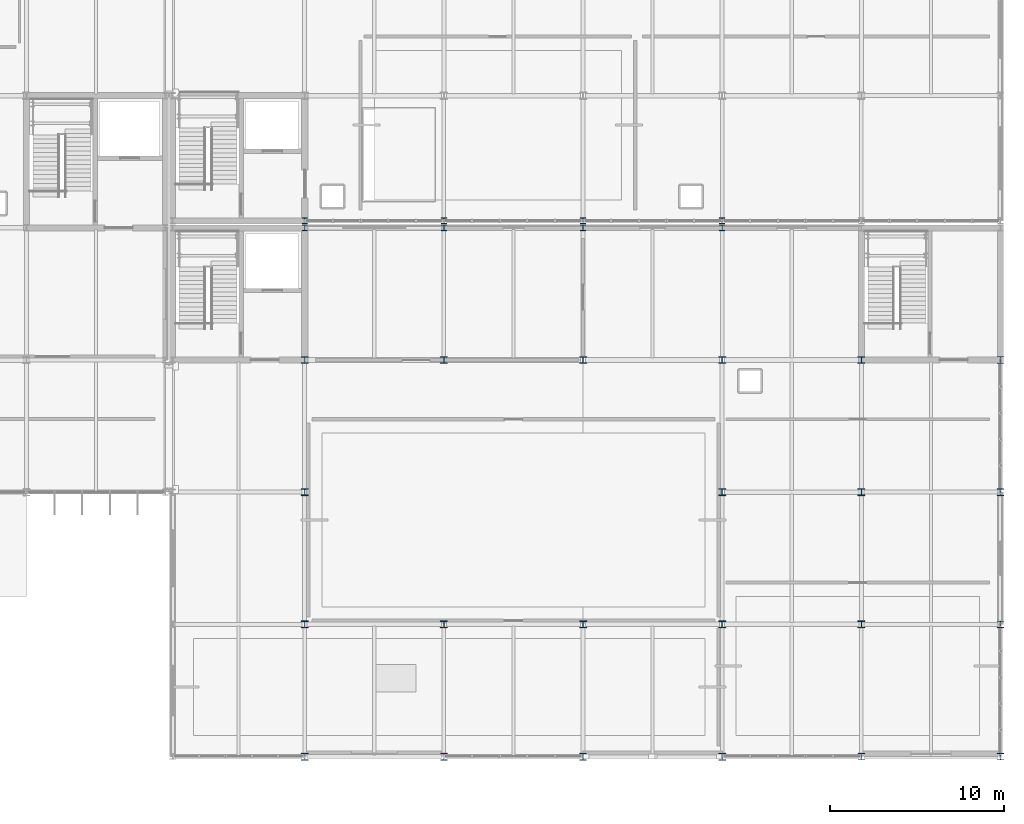
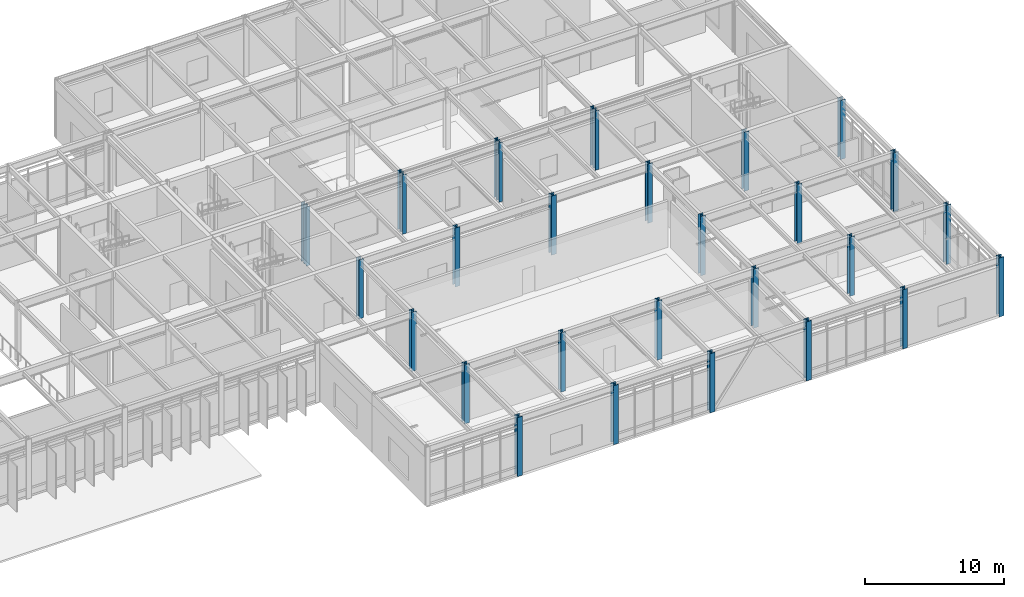
# One storey, part 17 of 94: 30 columns.
"""IFC4 building model written with IfcOpenShell, lengths in metres."""

from ifc_helpers import new_model, si_unit, direction, frame, origin, origin_2d, place, context, subcontext, project, spatial, i_section, extrude, material, material_profile, profile_set, type_object, element, save


model = new_model("IFC4")

# Units and contexts
model_context = context("Model", 3, precision=1e-05, world=origin(), true_north=direction((0.0, 1.0)))
body_context = subcontext(model_context, "Body", "Model", "MODEL_VIEW")
ifc_project = project(units=[si_unit("LENGTHUNIT", "METRE"), si_unit("AREAUNIT", "SQUARE_METRE"), si_unit("VOLUMEUNIT", "CUBIC_METRE"), si_unit("PLANEANGLEUNIT", "RADIAN"), si_unit("MASSUNIT", "GRAM", prefix="KILO")], contexts=[model_context])

# Site, building, storey
site_placement = place(None, origin())
site = spatial("IfcSite", under=ifc_project, at=site_placement, CompositionType="ELEMENT")
building_placement = place(site_placement, origin())
building = spatial("IfcBuilding", under=site, at=building_placement, Name="Zulena Civic Courthouse", CompositionType="ELEMENT")
storey_placement = place(building_placement, frame((0.0, 0.0, 5.39990234375)))
storey = spatial("IfcBuildingStorey", under=building, at=storey_placement, Name="L01", CompositionType="ELEMENT", Elevation=5.39990234375)

# Columns
ifc_material = material(Name="Steel ASTM A992 Grade 50", Category="steel")
ifc_material_profile_1 = material_profile(ifc_material, i_section(OverallWidth=0.31298828125, OverallDepth=0.3330078125, WebThickness=0.01806640625, FlangeThickness=0.0283203125, FilletRadius=0.01513671875, at=origin_2d()), Name="W12X120")
ifc_profile_set_1 = profile_set([ifc_material_profile_1], Name="Steel ASTM A992 Grade 50")
column_type_1 = type_object("IfcColumnType", Name="Col_W12X120", PredefinedType="COLUMN", material=ifc_profile_set_1)
for number, where, z_axis, x_axis, name in (
    (1, (132.0, 30.39990234375, 0.0), (0.0, 0.0, 1.0), (1.0, 0.0, 0.0), "col:V1:L01:132.0:30.4"),
    (2, (140.0, 30.39990234375, 0.0), (0.0, 0.0, 1.0), (1.0, 0.0, 0.0), "col:V1:L01:140.0:30.4"),
    (3, (148.0, 30.39990234375, 0.0), (0.0, 0.0, 1.0), (1.0, 0.0, 0.0), "col:V1:L01:148.0:30.4"),
    (4, (156.0, 30.39990234375, 0.0), (0.0, 0.0, 1.0), (1.0, 0.0, 0.0), "col:V1:L01:156.0:30.4"),
    (5, (132.0, 30.800048828125, 0.0), (0.0, 0.0, 1.0), (1.0, 0.0, 0.0), "col:V3:L01:132.0:30.8"),
    (6, (140.0, 30.800048828125, 0.0), (0.0, 0.0, 1.0), (1.0, 0.0, 0.0), "col:V3:L01:140.0:30.8"),
    (7, (148.0, 30.800048828125, 0.0), (0.0, 0.0, 1.0), (1.0, 0.0, 0.0), "col:V3:L01:148.0:30.8"),
    (8, (156.0, 30.800048828125, 0.0), (0.0, 0.0, 1.0), (1.0, 0.0, 0.0), "col:V3:L01:156.0:30.8"),
):
    element("IfcColumn", number, at=place(storey_placement, frame(where, z_axis=z_axis, x_axis=x_axis)), inside=storey, type_object=column_type_1, Name=name, PredefinedType="COLUMN", context=body_context, shape_type="SweptSolid", body=[
        extrude(i_section(OverallWidth=0.31298828125, OverallDepth=0.3330078125, WebThickness=0.01806640625, FlangeThickness=0.0283203125, FilletRadius=0.01513671875, at=origin_2d()), origin(), (0.0, 0.0, 1.0), 5.18505859375),
    ])
ifc_material_profile_2 = material_profile(ifc_material, i_section(OverallWidth=0.40087890625, OverallDepth=0.39892578125, WebThickness=0.02490234375, FlangeThickness=0.03955078125, FilletRadius=0.01513671875, at=origin_2d()), Name="W14X211")
ifc_profile_set_2 = profile_set([ifc_material_profile_2], Name="Steel ASTM A992 Grade 50")
column_type_2 = type_object("IfcColumnType", Name="Col_W14X211", PredefinedType="COLUMN", material=ifc_profile_set_2)
for number, where, z_axis, x_axis, name in (
    (9, (132.0, 7.60009765625, 0.0), (0.0, 0.0, 1.0), (1.0, 0.0, 0.0), "col:V1:L01:132.0:7.6"),
    (10, (132.0, 15.199951171875, 0.0), (0.0, 0.0, 1.0), (1.0, 0.0, 0.0), "col:V1:L01:132.0:15.2"),
    (11, (132.0, 22.800048828125, 0.0), (0.0, 0.0, 1.0), (1.0, 0.0, 0.0), "col:V1:L01:132.0:22.8"),
    (12, (140.0, 7.60009765625, 0.0), (0.0, 0.0, 1.0), (1.0, 0.0, 0.0), "col:V1:L01:140.0:7.6"),
    (13, (140.0, 22.800048828125, 0.0), (0.0, 0.0, 1.0), (1.0, 0.0, 0.0), "col:V1:L01:140.0:22.8"),
    (14, (148.0, 7.60009765625, 0.0), (0.0, 0.0, 1.0), (1.0, 0.0, 0.0), "col:V1:L01:148.0:7.6"),
    (15, (148.0, 22.800048828125, 0.0), (0.0, 0.0, 1.0), (1.0, 0.0, 0.0), "col:V1:L01:148.0:22.8"),
    (16, (156.0, 7.60009765625, 0.0), (0.0, 0.0, 1.0), (1.0, 0.0, 0.0), "col:V1:L01:156.0:7.6"),
    (17, (156.0, 15.199951171875, 0.0), (0.0, 0.0, 1.0), (1.0, 0.0, 0.0), "col:V1:L01:156.0:15.2"),
    (18, (156.0, 22.800048828125, 0.0), (0.0, 0.0, 1.0), (1.0, 0.0, 0.0), "col:V1:L01:156.0:22.8"),
    (19, (164.0, 7.60009765625, 0.0), (0.0, 0.0, 1.0), (1.0, 0.0, 0.0), "col:V1:L01:164.0:7.6"),
    (20, (164.0, 15.199951171875, 0.0), (0.0, 0.0, 1.0), (1.0, 0.0, 0.0), "col:V1:L01:164.0:15.2"),
    (21, (164.0, 22.800048828125, 0.0), (0.0, 0.0, 1.0), (1.0, 0.0, 0.0), "col:V1:L01:164.0:22.8"),
):
    element("IfcColumn", number, at=place(storey_placement, frame(where, z_axis=z_axis, x_axis=x_axis)), inside=storey, type_object=column_type_2, Name=name, PredefinedType="COLUMN", context=body_context, shape_type="SweptSolid", body=[
        extrude(i_section(OverallWidth=0.40087890625, OverallDepth=0.39892578125, WebThickness=0.02490234375, FlangeThickness=0.03955078125, FilletRadius=0.01513671875, at=origin_2d()), origin(), (0.0, 0.0, 1.0), 5.18505859375),
    ])
ifc_material_profile_3 = material_profile(ifc_material, i_section(OverallWidth=0.406005859375, OverallDepth=0.416015625, WebThickness=0.02978515625, FlangeThickness=0.048095703125, FilletRadius=0.01513671875, at=origin_2d()), Name="W14X257")
ifc_profile_set_3 = profile_set([ifc_material_profile_3], Name="Steel ASTM A992 Grade 50")
column_type_3 = type_object("IfcColumnType", Name="Col_W14X257", PredefinedType="COLUMN", material=ifc_profile_set_3)
for number, where, z_axis, x_axis, name in (
    (22, (164.0, 0.0, 0.0), (0.0, 0.0, 1.0), (1.0, 0.0, 0.0), "col:V1:L01:164.0:0.0"),
    (23, (172.0, 0.0, 0.0), (0.0, 0.0, 1.0), (1.0, 0.0, 0.0), "col:V1:L01:172.0:0.0"),
    (24, (172.0, 7.60009765625, 0.0), (0.0, 0.0, 1.0), (1.0, 0.0, 0.0), "col:V1:L01:172.0:7.6"),
    (25, (172.0, 15.199951171875, 0.0), (0.0, 0.0, 1.0), (1.0, 0.0, 0.0), "col:V1:L01:172.0:15.2"),
    (26, (172.0, 22.800048828125, 0.0), (0.0, 0.0, 1.0), (1.0, 0.0, 0.0), "col:V1:L01:172.0:22.8"),
):
    element("IfcColumn", number, at=place(storey_placement, frame(where, z_axis=z_axis, x_axis=x_axis)), inside=storey, type_object=column_type_3, Name=name, PredefinedType="COLUMN", context=body_context, shape_type="SweptSolid", body=[
        extrude(i_section(OverallWidth=0.406005859375, OverallDepth=0.416015625, WebThickness=0.02978515625, FlangeThickness=0.048095703125, FilletRadius=0.01513671875, at=origin_2d()), origin(), (0.0, 0.0, 1.0), 5.18505859375),
    ])
ifc_material_profile_4 = material_profile(ifc_material, i_section(OverallWidth=0.412109375, OverallDepth=0.43505859375, WebThickness=0.035888671875, FlangeThickness=0.057373046875, FilletRadius=0.01513671875, at=origin_2d()), Name="W14X311")
ifc_profile_set_4 = profile_set([ifc_material_profile_4], Name="Steel ASTM A992 Grade 50")
column_type_4 = type_object("IfcColumnType", Name="Col_W14X311", PredefinedType="COLUMN", material=ifc_profile_set_4)
for number, where, z_axis, x_axis, name in (
    (27, (132.0, 0.0, 0.0), (0.0, 0.0, 1.0), (1.0, 0.0, 0.0), "col:V1:L01:132.0:0.0"),
    (28, (140.0, 0.0, 0.0), (0.0, 0.0, 1.0), (1.0, 0.0, 0.0), "col:V1:L01:140.0:0.0"),
    (29, (148.0, 0.0, 0.0), (0.0, 0.0, 1.0), (1.0, 0.0, 0.0), "col:V1:L01:148.0:0.0"),
    (30, (156.0, 0.0, 0.0), (0.0, 0.0, 1.0), (1.0, 0.0, 0.0), "col:V1:L01:156.0:0.0"),
):
    element("IfcColumn", number, at=place(storey_placement, frame(where, z_axis=z_axis, x_axis=x_axis)), inside=storey, type_object=column_type_4, Name=name, PredefinedType="COLUMN", context=body_context, shape_type="SweptSolid", body=[
        extrude(i_section(OverallWidth=0.412109375, OverallDepth=0.43505859375, WebThickness=0.035888671875, FlangeThickness=0.057373046875, FilletRadius=0.01513671875, at=origin_2d()), origin(), (0.0, 0.0, 1.0), 5.18505859375),
    ])

save(model, "model.ifc")
